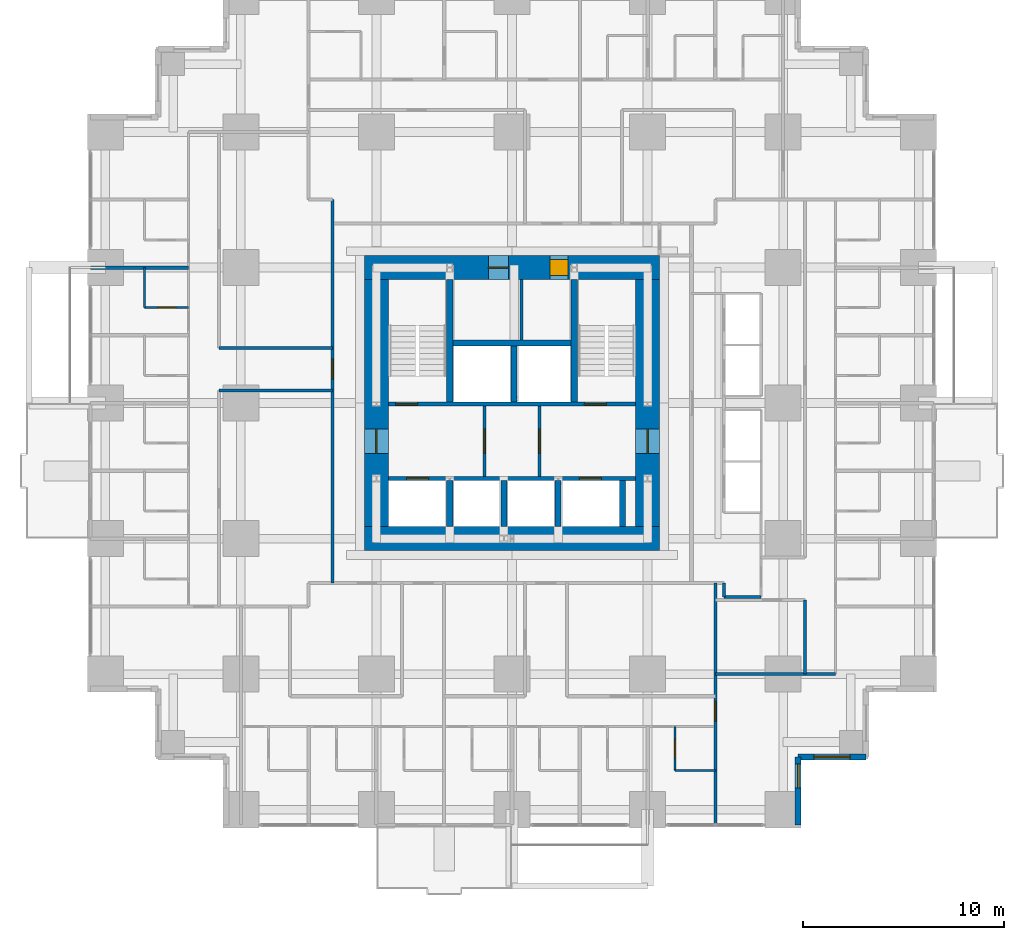
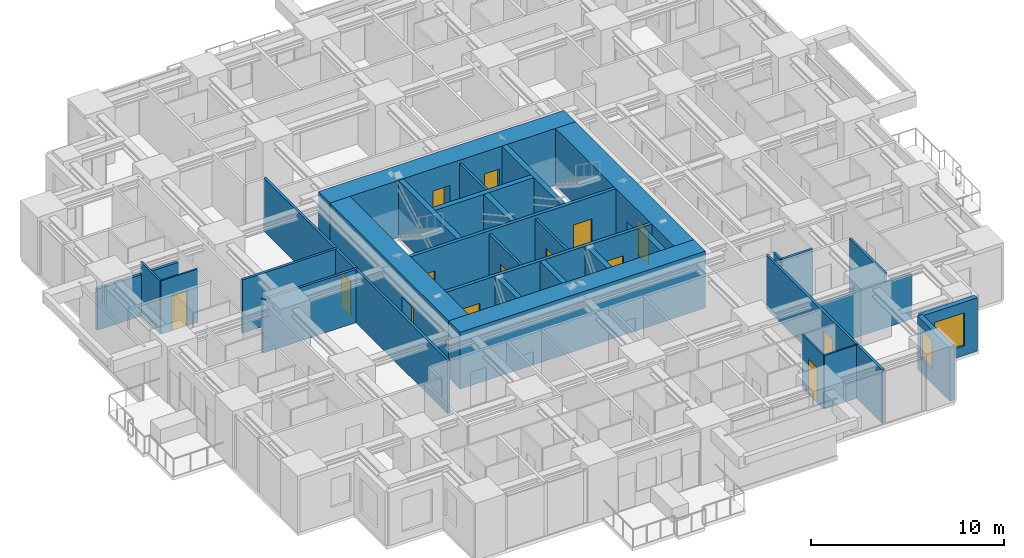
# One storey, part 10 of 15: 32 walls, 14 doors, 2 windows, 16 openings.
"""IFC4 building model written with IfcOpenShell, lengths in metres."""

from ifc_helpers import new_model, si_unit, direction, frame, frame_2d, origin, place, context, subcontext, project, spatial, rectangle, extrude, material, layer, layer_set, type_object, element, fill, save


model = new_model("IFC4")

# Units and contexts
model_context = context("Model", 3, precision=1e-05, world=origin(), true_north=direction((0.0, 1.0)))
body_context = subcontext(model_context, "Body", "Model", "MODEL_VIEW")
ifc_project = project(units=[si_unit("LENGTHUNIT", "METRE"), si_unit("AREAUNIT", "SQUARE_METRE"), si_unit("VOLUMEUNIT", "CUBIC_METRE"), si_unit("PLANEANGLEUNIT", "RADIAN"), si_unit("MASSUNIT", "GRAM", prefix="KILO")], contexts=[model_context])

# Site, building, storey
site_placement = place(None, origin())
site = spatial("IfcSite", under=ifc_project, at=site_placement, CompositionType="ELEMENT")
building_placement = place(site_placement, origin())
building = spatial("IfcBuilding", under=site, at=building_placement, Name="Nyansa Garden Tower", CompositionType="ELEMENT")
storey_placement = place(building_placement, frame((0.0, 0.0, 61.199951171875)))
storey = spatial("IfcBuildingStorey", under=building, at=storey_placement, Name="L16", CompositionType="ELEMENT", Elevation=61.199951171875)

# Wall
ifc_material_1 = material(Name="Dense blockwork, plastered both sides, 55 dB", Category="masonry")
ifc_layer_1 = layer(ifc_material_1, 0.175048828125)
ifc_layer_set_1 = layer_set([ifc_layer_1], Name="Acoustic party wall PW175")
wall_type_1 = type_object("IfcWallType", Name="Acoustic party wall PW175", PredefinedType="PARTITIONING", material=ifc_layer_set_1)
wall_1_placement = place(storey_placement, frame((-0.73388671875, 27.0, 0.0), z_axis=(0.0, 0.0, 1.0), x_axis=(1.0, 0.0, 0.0)))
element("IfcWall", 1, at=wall_1_placement, inside=storey, type_object=wall_type_1, Name="Party wall", PredefinedType="PARTITIONING", context=body_context, shape_type="SweptSolid", body=[
    extrude(rectangle(XDim=4.8837890625, YDim=0.175048828125, at=frame_2d((2.44189453125, 0.0))), origin(), (0.0, 0.0, 1.0), 2.610107421875),
])

# Wall, openings, doors
ifc_material_2 = material(Name="Concrete C70/85", Category="concrete")
ifc_layer_2 = layer(ifc_material_2, 0.199951171875)
ifc_layer_set_2 = layer_set([ifc_layer_2], Name="Core inner wall CI200")
wall_type_2 = type_object("IfcWallType", Name="Core inner wall CI200", PredefinedType="SHEAR", material=ifc_layer_set_2)
wall_2_placement = place(storey_placement, frame((14.10009765625, 16.5, 0.0), z_axis=(0.0, 0.0, 1.0), x_axis=(1.0, 0.0, 0.0)))
wall_2 = element("IfcWall", 2, at=wall_2_placement, inside=storey, type_object=wall_type_2, Name="Core inner wall L16", PredefinedType="SHEAR", context=body_context, shape_type="SweptSolid", body=[
    extrude(rectangle(XDim=12.2998046875, YDim=0.199951171875, at=frame_2d((6.14990234375, 0.0))), origin(), (0.0, 0.0, 1.0), 3.60009765625),
])
opening_1_placement = place(wall_2_placement, frame((0.89990234375, 0.0, 0.0)))
opening_1 = element("IfcOpeningElement", 3, at=opening_1_placement, cuts=wall_2, Name="Opening LD-F", PredefinedType="OPENING", context=body_context, shape_type="SweptSolid", body=[
    extrude(rectangle(XDim=1.10009765625, YDim=2.199951171875, at=frame_2d((0.550048828125, 1.10009765625))), frame((0.0, 0.10986328125, 0.0), z_axis=(0.0, -1.0, 0.0), x_axis=(1.0, 0.0, 0.0)), (0.0, 0.0, 1.0), 0.219970703125),
])
opening_2_placement = place(wall_2_placement, frame((9.5, 0.0, 0.0)))
opening_2 = element("IfcOpeningElement", 4, at=opening_2_placement, cuts=wall_2, Name="Opening LD-F", PredefinedType="OPENING", context=body_context, shape_type="SweptSolid", body=[
    extrude(rectangle(XDim=1.10009765625, YDim=2.199951171875, at=frame_2d((0.550048828125, 1.10009765625))), frame((0.0, 0.10986328125, 0.0), z_axis=(0.0, -1.0, 0.0), x_axis=(1.0, 0.0, 0.0)), (0.0, 0.0, 1.0), 0.219970703125),
])
ifc_material_3 = material(Name="Stainless steel centre-opening landing door of the firefighting lift, EN 81-72, E 120", Category="steel")
door_type_1 = type_object("IfcDoorType", Name="Lift landing door LD-F 1100x2200", OperationType="DOUBLE_DOOR_SLIDING", PredefinedType="DOOR", material=ifc_material_3)
door_1_placement = place(opening_1_placement, origin())
door_1 = element("IfcDoor", 5, at=door_1_placement, inside=storey, type_object=door_type_1, Name="Landing door FF1", OperationType="DOUBLE_DOOR_SLIDING", OverallHeight=2.199951171875, OverallWidth=1.10009765625, PredefinedType="DOOR", context=body_context, shape_type="SweptSolid", body=[
    extrude(rectangle(XDim=1.10009765625, YDim=2.199951171875, at=frame_2d((0.550048828125, 1.10009765625))), frame((0.0, 0.02490234375, 0.0), z_axis=(0.0, -1.0, 0.0), x_axis=(1.0, 0.0, 0.0)), (0.0, 0.0, 1.0), 0.050048828125),
])
fill(opening_1, door_1)
door_2_placement = place(opening_2_placement, origin())
door_2 = element("IfcDoor", 6, at=door_2_placement, inside=storey, type_object=door_type_1, Name="Landing door FF2", OperationType="DOUBLE_DOOR_SLIDING", OverallHeight=2.199951171875, OverallWidth=1.10009765625, PredefinedType="DOOR", context=body_context, shape_type="SweptSolid", body=[
    extrude(rectangle(XDim=1.10009765625, YDim=2.199951171875, at=frame_2d((0.550048828125, 1.10009765625))), frame((0.0, 0.02490234375, 0.0), z_axis=(0.0, -1.0, 0.0), x_axis=(1.0, 0.0, 0.0)), (0.0, 0.0, 1.0), 0.050048828125),
])
fill(opening_2, door_2)

wall_3_placement = place(storey_placement, frame((14.10009765625, 20.199951171875, 0.0), z_axis=(0.0, 0.0, 1.0), x_axis=(1.0, 0.0, 0.0)))
wall_3 = element("IfcWall", 7, at=wall_3_placement, inside=storey, type_object=wall_type_2, Name="Core inner wall L16", PredefinedType="SHEAR", context=body_context, shape_type="SweptSolid", body=[
    extrude(rectangle(XDim=12.2998046875, YDim=0.199951171875, at=frame_2d((6.14990234375, 0.0))), origin(), (0.0, 0.0, 1.0), 3.60009765625),
])
opening_3_placement = place(wall_3_placement, frame((0.35009765625, 0.0, 0.0)))
opening_3 = element("IfcOpeningElement", 8, at=opening_3_placement, cuts=wall_3, Name="Opening D05", PredefinedType="OPENING", context=body_context, shape_type="SweptSolid", body=[
    extrude(rectangle(XDim=1.10009765625, YDim=2.199951171875, at=frame_2d((0.550048828125, 1.10009765625))), frame((0.0, 0.10986328125, 0.0), z_axis=(0.0, -1.0, 0.0), x_axis=(1.0, 0.0, 0.0)), (0.0, 0.0, 1.0), 0.219970703125),
])
opening_4_placement = place(wall_3_placement, frame((9.75, 0.0, 0.0)))
opening_4 = element("IfcOpeningElement", 9, at=opening_4_placement, cuts=wall_3, Name="Opening D05", PredefinedType="OPENING", context=body_context, shape_type="SweptSolid", body=[
    extrude(rectangle(XDim=1.10009765625, YDim=2.199951171875, at=frame_2d((0.550048828125, 1.10009765625))), frame((0.0, 0.10986328125, 0.0), z_axis=(0.0, -1.0, 0.0), x_axis=(1.0, 0.0, 0.0)), (0.0, 0.0, 1.0), 0.219970703125),
])
ifc_material_4 = material(Name="Steel door, 120 minute fire resisting", Category="steel")
door_type_2 = type_object("IfcDoorType", Name="Stair door D05 1100x2200", OperationType="SINGLE_SWING_LEFT", PredefinedType="DOOR", material=ifc_material_4)
door_3_placement = place(opening_3_placement, origin())
door_3 = element("IfcDoor", 10, at=door_3_placement, inside=storey, type_object=door_type_2, Name="Stair S1 door", OperationType="SINGLE_SWING_LEFT", OverallHeight=2.199951171875, OverallWidth=1.10009765625, PredefinedType="DOOR", context=body_context, shape_type="SweptSolid", body=[
    extrude(rectangle(XDim=1.10009765625, YDim=2.199951171875, at=frame_2d((0.550048828125, 1.10009765625))), frame((0.0, 0.02490234375, 0.0), z_axis=(0.0, -1.0, 0.0), x_axis=(1.0, 0.0, 0.0)), (0.0, 0.0, 1.0), 0.050048828125),
])
fill(opening_3, door_3)
door_4_placement = place(opening_4_placement, origin())
door_4 = element("IfcDoor", 11, at=door_4_placement, inside=storey, type_object=door_type_2, Name="Stair S2 door", OperationType="SINGLE_SWING_LEFT", OverallHeight=2.199951171875, OverallWidth=1.10009765625, PredefinedType="DOOR", context=body_context, shape_type="SweptSolid", body=[
    extrude(rectangle(XDim=1.10009765625, YDim=2.199951171875, at=frame_2d((0.550048828125, 1.10009765625))), frame((0.0, 0.02490234375, 0.0), z_axis=(0.0, -1.0, 0.0), x_axis=(1.0, 0.0, 0.0)), (0.0, 0.0, 1.0), 0.050048828125),
])
fill(opening_4, door_4)

# Walls
ifc_material_5 = material(Name="Concrete C70/85", Category="concrete")
ifc_layer_3 = layer(ifc_material_5, 0.300048828125)
ifc_layer_set_3 = layer_set([ifc_layer_3], Name="Core inner wall CI300")
wall_type_3 = type_object("IfcWallType", Name="Core inner wall CI300", PredefinedType="SHEAR", material=ifc_layer_set_3)
for number, where, z_axis, x_axis, name in (
    (12, (17.14990234375, 20.300048828125, 0.0), (0.0, 0.0, 1.0), (0.0, 1.0, 0.0), "Core inner wall L16"),
    (13, (23.35009765625, 20.300048828125, 0.0), (0.0, 0.0, 1.0), (0.0, 1.0, 0.0), "Core inner wall L16"),
):
    element("IfcWall", number, at=place(storey_placement, frame(where, z_axis=z_axis, x_axis=x_axis)), inside=storey, type_object=wall_type_3, Name=name, PredefinedType="SHEAR", context=body_context, shape_type="SweptSolid", body=[
        extrude(rectangle(XDim=6.099853515625, YDim=0.300048828125, at=frame_2d((3.0498046875, 0.0))), origin(), (0.0, 0.0, 1.0), 3.60009765625),
    ])
wall_4_placement = place(storey_placement, frame((20.35009765625, 20.300048828125, 0.0), z_axis=(0.0, 0.0, 1.0), x_axis=(0.0, 1.0, 0.0)))
element("IfcWall", 14, at=wall_4_placement, inside=storey, type_object=wall_type_3, Name="Core inner wall L16", PredefinedType="SHEAR", context=body_context, shape_type="SweptSolid", body=[
    extrude(rectangle(XDim=2.800048828125, YDim=0.300048828125, at=frame_2d((1.39990234375, 0.0))), origin(), (0.0, 0.0, 1.0), 3.60009765625),
])
wall_5_placement = place(storey_placement, frame((17.300048828125, 23.25, 0.0), z_axis=(0.0, 0.0, 1.0), x_axis=(1.0, 0.0, 0.0)))
element("IfcWall", 15, at=wall_5_placement, inside=storey, type_object=wall_type_3, Name="Core inner wall L16", PredefinedType="SHEAR", context=body_context, shape_type="SweptSolid", body=[
    extrude(rectangle(XDim=5.89990234375, YDim=0.300048828125, at=frame_2d((2.949951171875, 0.0))), origin(), (0.0, 0.0, 1.0), 3.60009765625),
])
for number, where, z_axis, x_axis, name in (
    (16, (17.14990234375, 14.10009765625, 0.0), (0.0, 0.0, 1.0), (0.0, 1.0, 0.0), "Core inner wall L16"),
    (17, (19.85009765625, 14.10009765625, 0.0), (0.0, 0.0, 1.0), (0.0, 1.0, 0.0), "Core inner wall L16"),
    (18, (22.550048828125, 14.10009765625, 0.0), (0.0, 0.0, 1.0), (0.0, 1.0, 0.0), "Core inner wall L16"),
    (19, (25.75, 14.10009765625, 0.0), (0.0, 0.0, 1.0), (0.0, 1.0, 0.0), "Core inner wall L16"),
):
    element("IfcWall", number, at=place(storey_placement, frame(where, z_axis=z_axis, x_axis=x_axis)), inside=storey, type_object=wall_type_3, Name=name, PredefinedType="SHEAR", context=body_context, shape_type="SweptSolid", body=[
        extrude(rectangle(XDim=2.2998046875, YDim=0.300048828125, at=frame_2d((1.14990234375, 0.0))), origin(), (0.0, 0.0, 1.0), 3.60009765625),
    ])
ifc_material_6 = material(Name="Concrete C80/95", Category="concrete")
ifc_layer_4 = layer(ifc_material_6, 1.199951171875)
ifc_layer_set_4 = layer_set([ifc_layer_4], Name="Core wall CW1200")
wall_type_4 = type_object("IfcWallType", Name="Core wall CW1200", PredefinedType="SHEAR", material=ifc_layer_set_4)
wall_6_placement = place(storey_placement, frame((12.89990234375, 13.5, 0.0), z_axis=(0.0, 0.0, 1.0), x_axis=(1.0, 0.0, 0.0)))
element("IfcWall", 20, at=wall_6_placement, inside=storey, type_object=wall_type_4, Name="Core wall S L16", PredefinedType="SHEAR", context=body_context, shape_type="SweptSolid", body=[
    extrude(rectangle(XDim=14.7001953125, YDim=1.199951171875, at=frame_2d((7.35009765625, 0.0))), origin(), (0.0, 0.0, 1.0), 3.60009765625),
])

# Wall, opening, door
wall_7_placement = place(storey_placement, frame((27.0, 14.10009765625, 0.0), z_axis=(0.0, 0.0, 1.0), x_axis=(0.0, 1.0, 0.0)))
wall_7 = element("IfcWall", 21, at=wall_7_placement, inside=storey, type_object=wall_type_4, Name="Core wall E L16", PredefinedType="SHEAR", context=body_context, shape_type="SweptSolid", body=[
    extrude(rectangle(XDim=12.2998046875, YDim=1.199951171875, at=frame_2d((6.14990234375, 0.0))), origin(), (0.0, 0.0, 1.0), 3.60009765625),
])
opening_5_placement = place(wall_7_placement, frame((3.64990234375, 0.0, 0.0)))
opening_5 = element("IfcOpeningElement", 22, at=opening_5_placement, cuts=wall_7, Name="Opening D06", PredefinedType="OPENING", context=body_context, shape_type="SweptSolid", body=[
    extrude(rectangle(XDim=1.199951171875, YDim=2.199951171875, at=frame_2d((0.60009765625, 1.10009765625))), frame((0.0, 0.60986328125, 0.0), z_axis=(0.0, -1.0, 0.0), x_axis=(1.0, 0.0, 0.0)), (0.0, 0.0, 1.0), 1.219970703125),
])
ifc_material_7 = material(Name="Steel door, 120 minute fire resisting", Category="steel")
door_type_3 = type_object("IfcDoorType", Name="Lobby door D06 1200x2200", OperationType="DOUBLE_DOOR_SINGLE_SWING", PredefinedType="DOOR", material=ifc_material_7)
door_5_placement = place(opening_5_placement, origin())
door_5 = element("IfcDoor", 23, at=door_5_placement, inside=storey, type_object=door_type_3, Name="Lift lobby door east", OperationType="DOUBLE_DOOR_SINGLE_SWING", OverallHeight=2.199951171875, OverallWidth=1.199951171875, PredefinedType="DOOR", context=body_context, shape_type="SweptSolid", body=[
    extrude(rectangle(XDim=1.199951171875, YDim=2.199951171875, at=frame_2d((0.60009765625, 1.10009765625))), frame((0.0, 0.02490234375, 0.0), z_axis=(0.0, -1.0, 0.0), x_axis=(1.0, 0.0, 0.0)), (0.0, 0.0, 1.0), 0.050048828125),
])
fill(opening_5, door_5)

# Wall, openings, doors
wall_8_placement = place(storey_placement, frame((27.60009765625, 27.0, 0.0), z_axis=(0.0, 0.0, 1.0), x_axis=(-1.0, 0.0, 0.0)))
wall_8 = element("IfcWall", 24, at=wall_8_placement, inside=storey, type_object=wall_type_4, Name="Core wall N L16", PredefinedType="SHEAR", context=body_context, shape_type="SweptSolid", body=[
    extrude(rectangle(XDim=14.7001953125, YDim=1.199951171875, at=frame_2d((7.35009765625, 0.0))), origin(), (0.0, 0.0, 1.0), 3.60009765625),
])
opening_6_placement = place(wall_8_placement, frame((4.550048828125, 0.0, 0.0)))
opening_6 = element("IfcOpeningElement", 25, at=opening_6_placement, cuts=wall_8, Name="Opening D15", PredefinedType="OPENING", context=body_context, shape_type="SweptSolid", body=[
    extrude(rectangle(XDim=0.89990234375, YDim=2.199951171875, at=frame_2d((0.449951171875, 1.10009765625))), frame((0.0, 0.60986328125, 0.0), z_axis=(0.0, -1.0, 0.0), x_axis=(1.0, 0.0, 0.0)), (0.0, 0.0, 1.0), 1.219970703125),
])
opening_7_placement = place(wall_8_placement, frame((7.52490234375, 0.0, 0.0)))
opening_7 = element("IfcOpeningElement", 26, at=opening_7_placement, cuts=wall_8, Name="Opening D07", PredefinedType="OPENING", context=body_context, shape_type="SweptSolid", body=[
    extrude(rectangle(XDim=1.0, YDim=2.199951171875, at=frame_2d((0.5, 1.10009765625))), frame((0.0, 0.60986328125, 0.0), z_axis=(0.0, -1.0, 0.0), x_axis=(1.0, 0.0, 0.0)), (0.0, 0.0, 1.0), 1.219970703125),
])
ifc_material_8 = material(Name="Timber flush door, 60 minute fire resisting, self-closing", Category="wood")
door_type_4 = type_object("IfcDoorType", Name="Core room door D15 900x2200", OperationType="SINGLE_SWING_LEFT", PredefinedType="DOOR", material=ifc_material_8)
door_6_placement = place(opening_6_placement, origin())
door_6 = element("IfcDoor", 27, at=door_6_placement, inside=storey, type_object=door_type_4, Name="Core room door", OperationType="SINGLE_SWING_LEFT", OverallHeight=2.199951171875, OverallWidth=0.89990234375, PredefinedType="DOOR", context=body_context, shape_type="SweptSolid", body=[
    extrude(rectangle(XDim=0.89990234375, YDim=2.199951171875, at=frame_2d((0.449951171875, 1.10009765625))), frame((0.0, 0.39990234375, 0.0), z_axis=(0.0, -1.0, 0.0), x_axis=(1.0, 0.0, 0.0)), (0.0, 0.0, 1.0), 0.800048828125),
])
fill(opening_6, door_6)
ifc_material_9 = material(Name="Steel door, 120 minute fire resisting", Category="steel")
door_type_5 = type_object("IfcDoorType", Name="Riser door D07 1000x2200", OperationType="SINGLE_SWING_LEFT", PredefinedType="DOOR", material=ifc_material_9)
door_7_placement = place(opening_7_placement, origin())
door_7 = element("IfcDoor", 28, at=door_7_placement, inside=storey, type_object=door_type_5, Name="Riser and refuse room door", OperationType="SINGLE_SWING_LEFT", OverallHeight=2.199951171875, OverallWidth=1.0, PredefinedType="DOOR", context=body_context, shape_type="SweptSolid", body=[
    extrude(rectangle(XDim=1.0, YDim=2.199951171875, at=frame_2d((0.5, 1.10009765625))), frame((0.0, 0.02490234375, 0.0), z_axis=(0.0, -1.0, 0.0), x_axis=(1.0, 0.0, 0.0)), (0.0, 0.0, 1.0), 0.050048828125),
])
fill(opening_7, door_7)

# Wall, opening, door
wall_9_placement = place(storey_placement, frame((13.5, 26.39990234375, 0.0), z_axis=(0.0, 0.0, 1.0), x_axis=(0.0, -1.0, 0.0)))
wall_9 = element("IfcWall", 29, at=wall_9_placement, inside=storey, type_object=wall_type_4, Name="Core wall W L16", PredefinedType="SHEAR", context=body_context, shape_type="SweptSolid", body=[
    extrude(rectangle(XDim=12.2998046875, YDim=1.199951171875, at=frame_2d((6.14990234375, 0.0))), origin(), (0.0, 0.0, 1.0), 3.60009765625),
])
opening_8_placement = place(wall_9_placement, frame((7.449951171875, 0.0, 0.0)))
opening_8 = element("IfcOpeningElement", 30, at=opening_8_placement, cuts=wall_9, Name="Opening D06", PredefinedType="OPENING", context=body_context, shape_type="SweptSolid", body=[
    extrude(rectangle(XDim=1.199951171875, YDim=2.199951171875, at=frame_2d((0.60009765625, 1.10009765625))), frame((0.0, 0.60986328125, 0.0), z_axis=(0.0, -1.0, 0.0), x_axis=(1.0, 0.0, 0.0)), (0.0, 0.0, 1.0), 1.219970703125),
])
door_8_placement = place(opening_8_placement, origin())
door_8 = element("IfcDoor", 31, at=door_8_placement, inside=storey, type_object=door_type_3, Name="Lift lobby door west", OperationType="DOUBLE_DOOR_SINGLE_SWING", OverallHeight=2.199951171875, OverallWidth=1.199951171875, PredefinedType="DOOR", context=body_context, shape_type="SweptSolid", body=[
    extrude(rectangle(XDim=1.199951171875, YDim=2.199951171875, at=frame_2d((0.60009765625, 1.10009765625))), frame((0.0, 0.02490234375, 0.0), z_axis=(0.0, -1.0, 0.0), x_axis=(1.0, 0.0, 0.0)), (0.0, 0.0, 1.0), 0.050048828125),
])
fill(opening_8, door_8)

ifc_material_10 = material(Name="Blockwork, plastered both sides", Category="masonry")
ifc_layer_5 = layer(ifc_material_10, 0.14990234375)
ifc_layer_set_5 = layer_set([ifc_layer_5], Name="Partition PW150")
wall_type_5 = type_object("IfcWallType", Name="Partition PW150", PredefinedType="PARTITIONING", material=ifc_layer_set_5)
wall_10_placement = place(storey_placement, frame((18.875, 16.60009765625, 0.0), z_axis=(0.0, 0.0, 1.0), x_axis=(0.0, 1.0, 0.0)))
wall_10 = element("IfcWall", 32, at=wall_10_placement, inside=storey, type_object=wall_type_5, Name="Partition", PredefinedType="PARTITIONING", context=body_context, shape_type="SweptSolid", body=[
    extrude(rectangle(XDim=3.5, YDim=0.14990234375, at=frame_2d((1.75, 0.0))), origin(), (0.0, 0.0, 1.0), 3.375),
])
opening_9_placement = place(wall_10_placement, frame((1.14990234375, 0.0, 0.0)))
opening_9 = element("IfcOpeningElement", 33, at=opening_9_placement, cuts=wall_10, Name="Opening D06", PredefinedType="OPENING", context=body_context, shape_type="SweptSolid", body=[
    extrude(rectangle(XDim=1.199951171875, YDim=2.199951171875, at=frame_2d((0.60009765625, 1.10009765625))), frame((0.0, 0.0849609375, 0.0), z_axis=(0.0, -1.0, 0.0), x_axis=(1.0, 0.0, 0.0)), (0.0, 0.0, 1.0), 0.169921875),
])
door_9_placement = place(opening_9_placement, origin())
door_9 = element("IfcDoor", 34, at=door_9_placement, inside=storey, type_object=door_type_3, Name="Passenger lift lobby door", OperationType="DOUBLE_DOOR_SINGLE_SWING", OverallHeight=2.199951171875, OverallWidth=1.199951171875, PredefinedType="DOOR", context=body_context, shape_type="SweptSolid", body=[
    extrude(rectangle(XDim=1.199951171875, YDim=2.199951171875, at=frame_2d((0.60009765625, 1.10009765625))), frame((0.0, 0.02490234375, 0.0), z_axis=(0.0, -1.0, 0.0), x_axis=(1.0, 0.0, 0.0)), (0.0, 0.0, 1.0), 0.050048828125),
])
fill(opening_9, door_9)

wall_11_placement = place(storey_placement, frame((21.625, 16.60009765625, 0.0), z_axis=(0.0, 0.0, 1.0), x_axis=(0.0, 1.0, 0.0)))
wall_11 = element("IfcWall", 35, at=wall_11_placement, inside=storey, type_object=wall_type_5, Name="Partition", PredefinedType="PARTITIONING", context=body_context, shape_type="SweptSolid", body=[
    extrude(rectangle(XDim=3.5, YDim=0.14990234375, at=frame_2d((1.75, 0.0))), origin(), (0.0, 0.0, 1.0), 3.375),
])
opening_10_placement = place(wall_11_placement, frame((1.14990234375, 0.0, 0.0)))
opening_10 = element("IfcOpeningElement", 36, at=opening_10_placement, cuts=wall_11, Name="Opening D06", PredefinedType="OPENING", context=body_context, shape_type="SweptSolid", body=[
    extrude(rectangle(XDim=1.199951171875, YDim=2.199951171875, at=frame_2d((0.60009765625, 1.10009765625))), frame((0.0, 0.0849609375, 0.0), z_axis=(0.0, -1.0, 0.0), x_axis=(1.0, 0.0, 0.0)), (0.0, 0.0, 1.0), 0.169921875),
])
door_10_placement = place(opening_10_placement, origin())
door_10 = element("IfcDoor", 37, at=door_10_placement, inside=storey, type_object=door_type_3, Name="Passenger lift lobby door", OperationType="DOUBLE_DOOR_SINGLE_SWING", OverallHeight=2.199951171875, OverallWidth=1.199951171875, PredefinedType="DOOR", context=body_context, shape_type="SweptSolid", body=[
    extrude(rectangle(XDim=1.199951171875, YDim=2.199951171875, at=frame_2d((0.60009765625, 1.10009765625))), frame((0.0, 0.02490234375, 0.0), z_axis=(0.0, -1.0, 0.0), x_axis=(1.0, 0.0, 0.0)), (0.0, 0.0, 1.0), 0.050048828125),
])
fill(opening_10, door_10)

# Walls
wall_12_placement = place(storey_placement, frame((20.72509765625, 23.39990234375, 0.0), z_axis=(0.0, 0.0, 1.0), x_axis=(0.0, 1.0, 0.0)))
element("IfcWall", 38, at=wall_12_placement, inside=storey, type_object=wall_type_5, Name="Partition", PredefinedType="PARTITIONING", context=body_context, shape_type="SweptSolid", body=[
    extrude(rectangle(XDim=3.0, YDim=0.14990234375, at=frame_2d((1.5, 0.0))), origin(), (0.0, 0.0, 1.0), 3.375),
])
for number, where, z_axis, x_axis, name in (
    (39, (5.64990234375, 20.886962890625, 0.0), (0.0, 0.0, 1.0), (1.0, 0.0, 0.0), "Partition"),
    (40, (5.64990234375, 22.988037109375, 0.0), (0.0, 0.0, 1.0), (1.0, 0.0, 0.0), "Partition"),
):
    element("IfcWall", number, at=place(storey_placement, frame(where, z_axis=z_axis, x_axis=x_axis)), inside=storey, type_object=wall_type_5, Name=name, PredefinedType="PARTITIONING", context=body_context, shape_type="SweptSolid", body=[
        extrude(rectangle(XDim=5.650146484375, YDim=0.14990234375, at=frame_2d((2.8251953125, 0.0))), origin(), (0.0, 0.0, 1.0), 3.375),
    ])

# Wall, opening, door
wall_13_placement = place(storey_placement, frame((11.300048828125, 11.300048828125, 0.0), z_axis=(0.0, 0.0, 1.0), x_axis=(0.0, 1.0, 0.0)))
wall_13 = element("IfcWall", 41, at=wall_13_placement, inside=storey, type_object=wall_type_5, Name="Partition", PredefinedType="PARTITIONING", context=body_context, shape_type="SweptSolid", body=[
    extrude(rectangle(XDim=19.074951171875, YDim=0.14990234375, at=frame_2d((9.53759765625, 0.0))), origin(), (0.0, 0.0, 1.0), 3.375),
])
opening_11_placement = place(wall_13_placement, frame((10.137451171875, 0.0, 0.0)))
opening_11 = element("IfcOpeningElement", 42, at=opening_11_placement, cuts=wall_13, Name="Opening D03", PredefinedType="OPENING", context=body_context, shape_type="SweptSolid", body=[
    extrude(rectangle(XDim=1.0, YDim=2.199951171875, at=frame_2d((0.5, 1.10009765625))), frame((0.0, 0.0849609375, 0.0), z_axis=(0.0, -1.0, 0.0), x_axis=(1.0, 0.0, 0.0)), (0.0, 0.0, 1.0), 0.169921875),
])
ifc_material_11 = material(Name="Timber flush door, 60 minute fire resisting", Category="wood")
door_type_6 = type_object("IfcDoorType", Name="Cluster entrance door D03 1000x2200", OperationType="SINGLE_SWING_LEFT", PredefinedType="DOOR", material=ifc_material_11)
door_11_placement = place(opening_11_placement, origin())
door_11 = element("IfcDoor", 43, at=door_11_placement, inside=storey, type_object=door_type_6, Name="Door L16-081", OperationType="SINGLE_SWING_LEFT", OverallHeight=2.199951171875, OverallWidth=1.0, PredefinedType="DOOR", context=body_context, shape_type="SweptSolid", body=[
    extrude(rectangle(XDim=1.0, YDim=2.199951171875, at=frame_2d((0.5, 1.10009765625))), frame((0.0, 0.02490234375, 0.0), z_axis=(0.0, -1.0, 0.0), x_axis=(1.0, 0.0, 0.0)), (0.0, 0.0, 1.0), 0.050048828125),
])
fill(opening_11, door_11)

wall_14_placement = place(storey_placement, frame((30.375, -0.73388671875, 0.0), z_axis=(0.0, 0.0, 1.0), x_axis=(0.0, 1.0, 0.0)))
wall_14 = element("IfcWall", 44, at=wall_14_placement, inside=storey, type_object=wall_type_5, Name="Partition", PredefinedType="PARTITIONING", context=body_context, shape_type="SweptSolid", body=[
    extrude(rectangle(XDim=12.033935546875, YDim=0.14990234375, at=frame_2d((6.01708984375, 0.0))), origin(), (0.0, 0.0, 1.0), 3.375),
])
opening_12_placement = place(wall_14_placement, frame((5.134033203125, 0.0, 0.0)))
opening_12 = element("IfcOpeningElement", 45, at=opening_12_placement, cuts=wall_14, Name="Opening D03", PredefinedType="OPENING", context=body_context, shape_type="SweptSolid", body=[
    extrude(rectangle(XDim=1.0, YDim=2.199951171875, at=frame_2d((0.5, 1.10009765625))), frame((0.0, 0.0849609375, 0.0), z_axis=(0.0, -1.0, 0.0), x_axis=(1.0, 0.0, 0.0)), (0.0, 0.0, 1.0), 0.169921875),
])
door_12_placement = place(opening_12_placement, origin())
door_12 = element("IfcDoor", 46, at=door_12_placement, inside=storey, type_object=door_type_6, Name="Door L16-037", OperationType="SINGLE_SWING_LEFT", OverallHeight=2.199951171875, OverallWidth=1.0, PredefinedType="DOOR", context=body_context, shape_type="SweptSolid", body=[
    extrude(rectangle(XDim=1.0, YDim=2.199951171875, at=frame_2d((0.5, 1.10009765625))), frame((0.0, 0.02490234375, 0.0), z_axis=(0.0, -1.0, 0.0), x_axis=(1.0, 0.0, 0.0)), (0.0, 0.0, 1.0), 0.050048828125),
])
fill(opening_12, door_12)

# Walls
wall_15_placement = place(storey_placement, frame((30.375, 6.75, 0.0), z_axis=(0.0, 0.0, 1.0), x_axis=(1.0, 0.0, 0.0)))
element("IfcWall", 47, at=wall_15_placement, inside=storey, type_object=wall_type_5, Name="Partition", PredefinedType="PARTITIONING", context=body_context, shape_type="SweptSolid", body=[
    extrude(rectangle(XDim=5.97509765625, YDim=0.14990234375, at=frame_2d((2.987548828125, 0.0))), origin(), (0.0, 0.0, 1.0), 2.876953125),
])
wall_16_placement = place(storey_placement, frame((30.800048828125, 10.60009765625, 0.0), z_axis=(0.0, 0.0, 1.0), x_axis=(0.0, 1.0, 0.0)))
element("IfcWall", 48, at=wall_16_placement, inside=storey, type_object=wall_type_5, Name="Partition", PredefinedType="PARTITIONING", context=body_context, shape_type="SweptSolid", body=[
    extrude(rectangle(XDim=0.699951171875, YDim=0.14990234375, at=frame_2d((0.35009765625, 0.0))), origin(), (0.0, 0.0, 1.0), 3.375),
])
wall_17_placement = place(storey_placement, frame((30.800048828125, 10.60009765625, 0.0), z_axis=(0.0, 0.0, 1.0), x_axis=(1.0, 0.0, 0.0)))
element("IfcWall", 49, at=wall_17_placement, inside=storey, type_object=wall_type_5, Name="Partition", PredefinedType="PARTITIONING", context=body_context, shape_type="SweptSolid", body=[
    extrude(rectangle(XDim=1.849853515625, YDim=0.14990234375, at=frame_2d((0.9248046875, 0.0))), origin(), (0.0, 0.0, 1.0), 3.375),
])
wall_18_placement = place(storey_placement, frame((34.85009765625, 6.75, 0.0), z_axis=(0.0, 0.0, 1.0), x_axis=(0.0, 1.0, 0.0)))
element("IfcWall", 50, at=wall_18_placement, inside=storey, type_object=wall_type_5, Name="Partition", PredefinedType="PARTITIONING", context=body_context, shape_type="SweptSolid", body=[
    extrude(rectangle(XDim=3.699951171875, YDim=0.14990234375, at=frame_2d((1.85009765625, 0.0))), origin(), (0.0, 0.0, 1.0), 3.375),
])

# Wall, opening, window
ifc_material_12 = material(Name="Turquoise glazed tile on concrete blockwork", Category="masonry")
ifc_layer_6 = layer(ifc_material_12, 0.300048828125)
ifc_layer_set_6 = layer_set([ifc_layer_6], Name="Tiled corner wall TW300")
wall_type_6 = type_object("IfcWallType", Name="Tiled corner wall TW300", PredefinedType="SOLIDWALL", material=ifc_layer_set_6)
wall_19_placement = place(storey_placement, frame((34.5, -0.75, 0.0), z_axis=(0.0, 0.0, 1.0), x_axis=(0.0, 1.0, 0.0)))
wall_19 = element("IfcWall", 51, at=wall_19_placement, inside=storey, type_object=wall_type_6, Name="Tiled corner wall L16", PredefinedType="SOLIDWALL", context=body_context, shape_type="SweptSolid", body=[
    extrude(rectangle(XDim=3.375, YDim=0.300048828125, at=frame_2d((1.6875, 0.0))), origin(), (0.0, 0.0, 1.0), 3.375),
])
opening_13_placement = place(wall_19_placement, frame((1.83251953125, 0.0, 0.89990234375)))
opening_13 = element("IfcOpeningElement", 52, at=opening_13_placement, cuts=wall_19, Name="Opening W4", PredefinedType="OPENING", context=body_context, shape_type="SweptSolid", body=[
    extrude(rectangle(XDim=1.199951171875, YDim=1.800048828125, at=frame_2d((0.60009765625, 0.89990234375))), frame((0.0, 0.159912109375, 0.0), z_axis=(0.0, -1.0, 0.0), x_axis=(1.0, 0.0, 0.0)), (0.0, 0.0, 1.0), 0.320068359375),
])
ifc_material_13 = material(Name="Black aluminium frame, dark tinted double glazing", Category="aluminium")
window_type_1 = type_object("IfcWindowType", Name="Window W4 1200x1800", PartitioningType="SINGLE_PANEL", PredefinedType="WINDOW", material=ifc_material_13)
window_1_placement = place(opening_13_placement, origin())
window_1 = element("IfcWindow", 53, at=window_1_placement, inside=storey, type_object=window_type_1, Name="Corner window L16", OverallHeight=1.800048828125, OverallWidth=1.199951171875, PartitioningType="SINGLE_PANEL", PredefinedType="WINDOW", context=body_context, shape_type="SweptSolid", body=[
    extrude(rectangle(XDim=1.199951171875, YDim=1.800048828125, at=frame_2d((0.60009765625, 0.89990234375))), frame((0.0, 0.030029296875, 0.0), z_axis=(0.0, -1.0, 0.0), x_axis=(1.0, 0.0, 0.0)), (0.0, 0.0, 1.0), 0.06005859375),
])
fill(opening_13, window_1)

wall_20_placement = place(storey_placement, frame((34.5, 2.625, 0.0), z_axis=(0.0, 0.0, 1.0), x_axis=(1.0, 0.0, 0.0)))
wall_20 = element("IfcWall", 54, at=wall_20_placement, inside=storey, type_object=wall_type_6, Name="Tiled corner wall L16", PredefinedType="SOLIDWALL", context=body_context, shape_type="SweptSolid", body=[
    extrude(rectangle(XDim=3.375, YDim=0.300048828125, at=frame_2d((1.6875, 0.0))), origin(), (0.0, 0.0, 1.0), 3.375),
])
opening_14_placement = place(wall_20_placement, frame((0.78759765625, 0.0, 0.60009765625)))
opening_14 = element("IfcOpeningElement", 55, at=opening_14_placement, cuts=wall_20, Name="Opening W2", PredefinedType="OPENING", context=body_context, shape_type="SweptSolid", body=[
    extrude(rectangle(XDim=1.800048828125, YDim=2.10009765625, at=frame_2d((0.89990234375, 1.050048828125))), frame((0.0, 0.159912109375, 0.0), z_axis=(0.0, -1.0, 0.0), x_axis=(1.0, 0.0, 0.0)), (0.0, 0.0, 1.0), 0.320068359375),
])
ifc_material_14 = material(Name="Black aluminium frame, dark tinted double glazing", Category="aluminium")
window_type_2 = type_object("IfcWindowType", Name="Window W2 1800x2100", PartitioningType="SINGLE_PANEL", PredefinedType="WINDOW", material=ifc_material_14)
window_2_placement = place(opening_14_placement, origin())
window_2 = element("IfcWindow", 56, at=window_2_placement, inside=storey, type_object=window_type_2, Name="Corner window L16", OverallHeight=2.10009765625, OverallWidth=1.800048828125, PartitioningType="SINGLE_PANEL", PredefinedType="WINDOW", context=body_context, shape_type="SweptSolid", body=[
    extrude(rectangle(XDim=1.800048828125, YDim=2.10009765625, at=frame_2d((0.89990234375, 1.050048828125))), frame((0.0, 0.030029296875, 0.0), z_axis=(0.0, -1.0, 0.0), x_axis=(1.0, 0.0, 0.0)), (0.0, 0.0, 1.0), 0.06005859375),
])
fill(opening_14, window_2)

# Wall
ifc_material_15 = material(Name="Moisture resistant board on steel studs, tiled", Category="steel")
ifc_layer_7 = layer(ifc_material_15, 0.10009765625)
ifc_layer_set_7 = layer_set([ifc_layer_7], Name="Wet wall PW100")
wall_type_7 = type_object("IfcWallType", Name="Wet wall PW100", PredefinedType="PARTITIONING", material=ifc_layer_set_7)
wall_21_placement = place(storey_placement, frame((1.949951171875, 25.0, 0.0), z_axis=(0.0, 0.0, 1.0), x_axis=(0.0, 1.0, 0.0)))
element("IfcWall", 57, at=wall_21_placement, inside=storey, type_object=wall_type_7, Name="Wet wall", PredefinedType="PARTITIONING", context=body_context, shape_type="SweptSolid", body=[
    extrude(rectangle(XDim=2.0, YDim=0.10009765625, at=frame_2d((1.0, 0.0))), origin(), (0.0, 0.0, 1.0), 3.375),
])

# Wall, opening, door
wall_22_placement = place(storey_placement, frame((1.949951171875, 25.0, 0.0), z_axis=(0.0, 0.0, 1.0), x_axis=(1.0, 0.0, 0.0)))
wall_22 = element("IfcWall", 58, at=wall_22_placement, inside=storey, type_object=wall_type_7, Name="Wet wall", PredefinedType="PARTITIONING", context=body_context, shape_type="SweptSolid", body=[
    extrude(rectangle(XDim=2.199951171875, YDim=0.10009765625, at=frame_2d((1.10009765625, 0.0))), origin(), (0.0, 0.0, 1.0), 3.375),
])
opening_15_placement = place(wall_22_placement, frame((0.64990234375, 0.0, 0.0)))
opening_15 = element("IfcOpeningElement", 59, at=opening_15_placement, cuts=wall_22, Name="Opening D02", PredefinedType="OPENING", context=body_context, shape_type="SweptSolid", body=[
    extrude(rectangle(XDim=0.89990234375, YDim=2.199951171875, at=frame_2d((0.449951171875, 1.10009765625))), frame((0.0, 0.06005859375, 0.0), z_axis=(0.0, -1.0, 0.0), x_axis=(1.0, 0.0, 0.0)), (0.0, 0.0, 1.0), 0.1201171875),
])
ifc_material_16 = material(Name="Timber flush door", Category="wood")
door_type_7 = type_object("IfcDoorType", Name="En-suite door D02 900x2200", OperationType="SINGLE_SWING_RIGHT", PredefinedType="DOOR", material=ifc_material_16)
door_13_placement = place(opening_15_placement, origin())
door_13 = element("IfcDoor", 60, at=door_13_placement, inside=storey, type_object=door_type_7, Name="Door L16-078", OperationType="SINGLE_SWING_RIGHT", OverallHeight=2.199951171875, OverallWidth=0.89990234375, PredefinedType="DOOR", context=body_context, shape_type="SweptSolid", body=[
    extrude(rectangle(XDim=0.89990234375, YDim=2.199951171875, at=frame_2d((0.449951171875, 1.10009765625))), frame((0.0, 0.02490234375, 0.0), z_axis=(0.0, -1.0, 0.0), x_axis=(1.0, 0.0, 0.0)), (0.0, 0.0, 1.0), 0.050048828125),
])
fill(opening_15, door_13)

wall_23_placement = place(storey_placement, frame((28.375, 1.949951171875, 0.0), z_axis=(0.0, 0.0, 1.0), x_axis=(0.0, 1.0, 0.0)))
wall_23 = element("IfcWall", 61, at=wall_23_placement, inside=storey, type_object=wall_type_7, Name="Wet wall", PredefinedType="PARTITIONING", context=body_context, shape_type="SweptSolid", body=[
    extrude(rectangle(XDim=2.199951171875, YDim=0.10009765625, at=frame_2d((1.10009765625, 0.0))), origin(), (0.0, 0.0, 1.0), 3.375),
])
opening_16_placement = place(wall_23_placement, frame((0.64990234375, 0.0, 0.0)))
opening_16 = element("IfcOpeningElement", 62, at=opening_16_placement, cuts=wall_23, Name="Opening D02", PredefinedType="OPENING", context=body_context, shape_type="SweptSolid", body=[
    extrude(rectangle(XDim=0.89990234375, YDim=2.199951171875, at=frame_2d((0.449951171875, 1.10009765625))), frame((0.0, 0.06005859375, 0.0), z_axis=(0.0, -1.0, 0.0), x_axis=(1.0, 0.0, 0.0)), (0.0, 0.0, 1.0), 0.1201171875),
])
door_14_placement = place(opening_16_placement, origin())
door_14 = element("IfcDoor", 63, at=door_14_placement, inside=storey, type_object=door_type_7, Name="Door L16-032", OperationType="SINGLE_SWING_RIGHT", OverallHeight=2.199951171875, OverallWidth=0.89990234375, PredefinedType="DOOR", context=body_context, shape_type="SweptSolid", body=[
    extrude(rectangle(XDim=0.89990234375, YDim=2.199951171875, at=frame_2d((0.449951171875, 1.10009765625))), frame((0.0, 0.02490234375, 0.0), z_axis=(0.0, -1.0, 0.0), x_axis=(1.0, 0.0, 0.0)), (0.0, 0.0, 1.0), 0.050048828125),
])
fill(opening_16, door_14)

# Wall
wall_24_placement = place(storey_placement, frame((28.375, 1.949951171875, 0.0), z_axis=(0.0, 0.0, 1.0), x_axis=(1.0, 0.0, 0.0)))
element("IfcWall", 64, at=wall_24_placement, inside=storey, type_object=wall_type_7, Name="Wet wall", PredefinedType="PARTITIONING", context=body_context, shape_type="SweptSolid", body=[
    extrude(rectangle(XDim=2.0, YDim=0.10009765625, at=frame_2d((1.0, 0.0))), origin(), (0.0, 0.0, 1.0), 3.375),
])

save(model, "model.ifc")
